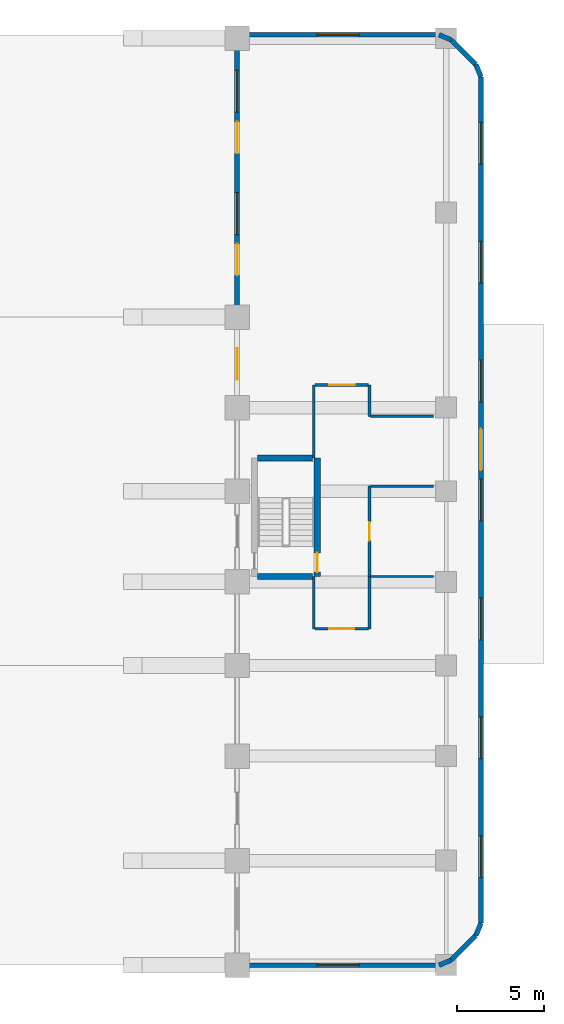
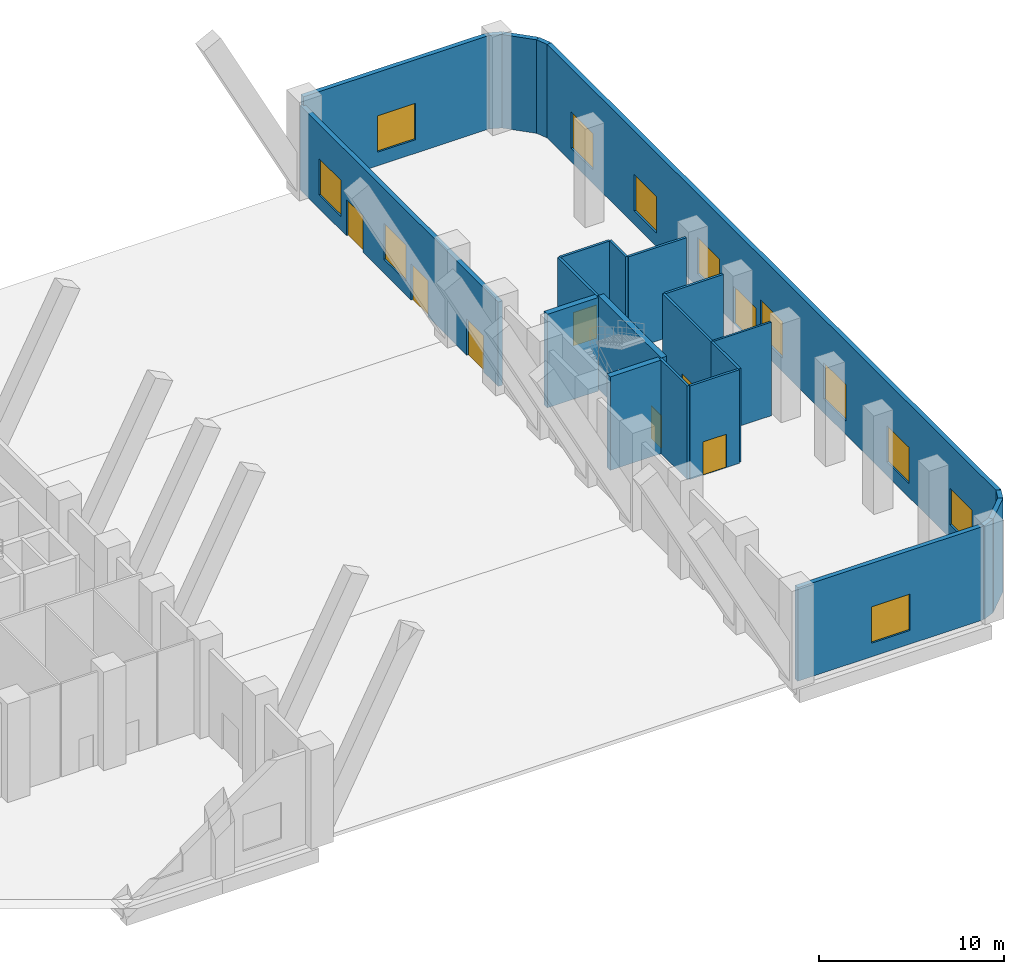
# One storey, part 6 of 10: 23 walls, 11 windows, 8 doors, 19 openings.
"""IFC4 building model written with IfcOpenShell, lengths in metres."""

from ifc_helpers import new_model, si_unit, direction, frame, frame_2d, origin, place, context, subcontext, project, spatial, rectangle, extrude, material, layer, layer_set, type_object, element, fill, save


model = new_model("IFC4")

# Units and contexts
model_context = context("Model", 3, precision=1e-05, world=origin(), true_north=direction((0.0, 1.0)))
body_context = subcontext(model_context, "Body", "Model", "MODEL_VIEW")
ifc_project = project(units=[si_unit("LENGTHUNIT", "METRE"), si_unit("AREAUNIT", "SQUARE_METRE"), si_unit("VOLUMEUNIT", "CUBIC_METRE"), si_unit("PLANEANGLEUNIT", "RADIAN"), si_unit("MASSUNIT", "GRAM", prefix="KILO")], contexts=[model_context])

# Site, building, storey
site_placement = place(None, origin())
site = spatial("IfcSite", under=ifc_project, at=site_placement, CompositionType="ELEMENT")
building_placement = place(site_placement, origin())
building = spatial("IfcBuilding", under=site, at=building_placement, Name="Keshet Zoharim Tower", CompositionType="ELEMENT")
storey_placement = place(building_placement, origin())
storey = spatial("IfcBuildingStorey", under=building, at=storey_placement, Name="L00", CompositionType="ELEMENT", Elevation=0.0)

# Walls
ifc_material_1 = material(Name="Gypsum Plasterboard", Category="gypsum")
ifc_layer_1 = layer(ifc_material_1, 0.14990234375)
ifc_layer_set_1 = layer_set([ifc_layer_1], Name="Gypsum Plasterboard")
wall_type_1 = type_object("IfcWallType", Name="WL-CLIN-150", PredefinedType="STANDARD", material=ifc_layer_set_1)
wall_1_placement = place(storey_placement, frame((67.39990234375, 20.0, 0.0), z_axis=(0.0, 0.0, 1.0), x_axis=(0.0, 1.0, 0.0)))
element("IfcWall", 1, at=wall_1_placement, inside=storey, type_object=wall_type_1, Name="L00 Interior Wall 041", PredefinedType="STANDARD", context=body_context, shape_type="SweptSolid", body=[
    extrude(rectangle(XDim=3.0, YDim=0.14990234375, at=frame_2d((1.5, 0.0))), origin(), (0.0, 0.0, 1.0), 6.169921875),
])
wall_2_placement = place(storey_placement, frame((67.39990234375, 29.800048828125, 0.0), z_axis=(0.0, 0.0, 1.0), x_axis=(0.0, 1.0, 0.0)))
element("IfcWall", 2, at=wall_2_placement, inside=storey, type_object=wall_type_1, Name="L00 Interior Wall 042", PredefinedType="STANDARD", context=body_context, shape_type="SweptSolid", body=[
    extrude(rectangle(XDim=4.199951171875, YDim=0.14990234375, at=frame_2d((2.10009765625, 0.0))), origin(), (0.0, 0.0, 1.0), 6.169921875),
])
wall_3_placement = place(storey_placement, frame((70.60009765625, 20.0, 0.0), z_axis=(0.0, 0.0, 1.0), x_axis=(0.0, 1.0, 0.0)))
element("IfcWall", 3, at=wall_3_placement, inside=storey, type_object=wall_type_1, Name="L00 Interior Wall 044", PredefinedType="STANDARD", context=body_context, shape_type="SweptSolid", body=[
    extrude(rectangle(XDim=3.0, YDim=0.14990234375, at=frame_2d((1.5, 0.0))), origin(), (0.0, 0.0, 1.0), 6.169921875),
])

# Wall, opening, door
wall_4_placement = place(storey_placement, frame((70.60009765625, 23.0, 0.0), z_axis=(0.0, 0.0, 1.0), x_axis=(0.0, 1.0, 0.0)))
wall_4 = element("IfcWall", 4, at=wall_4_placement, inside=storey, type_object=wall_type_1, Name="L00 Interior Wall 045", PredefinedType="STANDARD", context=body_context, shape_type="SweptSolid", body=[
    extrude(rectangle(XDim=5.199951171875, YDim=0.14990234375, at=frame_2d((2.60009765625, 0.0))), origin(), (0.0, 0.0, 1.0), 6.169921875),
])
opening_1_placement = place(wall_4_placement, frame((2.074951171875, 0.0, 0.0)))
opening_1 = element("IfcOpeningElement", 5, at=opening_1_placement, cuts=wall_4, Name="Opening D-AC10", PredefinedType="OPENING", context=body_context, shape_type="SweptSolid", body=[
    extrude(rectangle(XDim=1.050048828125, YDim=2.14990234375, at=frame_2d((0.52490234375, 1.074951171875))), frame((0.0, 0.0849609375, 0.0), z_axis=(0.0, -1.0, 0.0), x_axis=(1.0, 0.0, 0.0)), (0.0, 0.0, 1.0), 0.169921875),
])
ifc_material_2 = material(Name="Hardwood Timber", Category="wood")
door_type_1 = type_object("IfcDoorType", Name="DR-ACC-105", OperationType="NOTDEFINED", PredefinedType="DOOR", material=ifc_material_2)
door_1_placement = place(opening_1_placement, origin())
door_1 = element("IfcDoor", 6, at=door_1_placement, inside=storey, type_object=door_type_1, Name="Clinic Ground Accessible WC Door", OperationType="SINGLE_SWING_RIGHT", OverallHeight=2.14990234375, OverallWidth=1.050048828125, PredefinedType="DOOR", context=body_context, shape_type="SweptSolid", body=[
    extrude(rectangle(XDim=1.050048828125, YDim=2.14990234375, at=frame_2d((0.52490234375, 1.074951171875))), frame((0.0, 0.02490234375, 0.0), z_axis=(0.0, -1.0, 0.0), x_axis=(1.0, 0.0, 0.0)), (0.0, 0.0, 1.0), 0.050048828125),
])
fill(opening_1, door_1)

# Wall
wall_5_placement = place(storey_placement, frame((70.60009765625, 32.199951171875, 0.0), z_axis=(0.0, 0.0, 1.0), x_axis=(0.0, 1.0, 0.0)))
element("IfcWall", 7, at=wall_5_placement, inside=storey, type_object=wall_type_1, Name="L00 Interior Wall 046", PredefinedType="STANDARD", context=body_context, shape_type="SweptSolid", body=[
    extrude(rectangle(XDim=1.800048828125, YDim=0.14990234375, at=frame_2d((0.89990234375, 0.0))), origin(), (0.0, 0.0, 1.0), 6.169921875),
])

# Wall, opening, door
wall_6_placement = place(storey_placement, frame((67.4599609375, 20.0, 0.0), z_axis=(0.0, 0.0, 1.0), x_axis=(1.0, 0.0, 0.0)))
wall_6 = element("IfcWall", 8, at=wall_6_placement, inside=storey, type_object=wall_type_1, Name="L00 Interior Wall 053", PredefinedType="STANDARD", context=body_context, shape_type="SweptSolid", body=[
    extrude(rectangle(XDim=3.080078125, YDim=0.14990234375, at=frame_2d((1.5400390625, 0.0))), origin(), (0.0, 0.0, 1.0), 6.169921875),
])
opening_2_placement = place(wall_6_placement, frame((0.81494140625, 0.0, 0.0)))
opening_2 = element("IfcOpeningElement", 9, at=opening_2_placement, cuts=wall_6, Name="Opening D-F314", PredefinedType="OPENING", context=body_context, shape_type="SweptSolid", body=[
    extrude(rectangle(XDim=1.449951171875, YDim=2.199951171875, at=frame_2d((0.72509765625, 1.10009765625))), frame((0.0, 0.0849609375, 0.0), z_axis=(0.0, -1.0, 0.0), x_axis=(1.0, 0.0, 0.0)), (0.0, 0.0, 1.0), 0.169921875),
])
door_type_2 = type_object("IfcDoorType", Name="DR-FD30-145", OperationType="DOUBLE_DOOR_SINGLE_SWING", PredefinedType="DOOR", material=ifc_material_2)
door_2_placement = place(opening_2_placement, origin())
door_2 = element("IfcDoor", 10, at=door_2_placement, inside=storey, type_object=door_type_2, Name="Health Centre Reception Door", OperationType="DOUBLE_DOOR_SINGLE_SWING", OverallHeight=2.199951171875, OverallWidth=1.449951171875, PredefinedType="DOOR", context=body_context, shape_type="SweptSolid", body=[
    extrude(rectangle(XDim=1.449951171875, YDim=2.199951171875, at=frame_2d((0.72509765625, 1.10009765625))), frame((0.0, 0.02490234375, 0.0), z_axis=(0.0, -1.0, 0.0), x_axis=(1.0, 0.0, 0.0)), (0.0, 0.0, 1.0), 0.050048828125),
])
fill(opening_2, door_2)

# Walls
for number, where, z_axis, x_axis, name in (
    (11, (70.659912109375, 28.199951171875, 0.0), (0.0, 0.0, 1.0), (1.0, 0.0, 0.0), "L00 Interior Wall 062"),
    (12, (70.659912109375, 32.199951171875, 0.0), (0.0, 0.0, 1.0), (1.0, 0.0, 0.0), "L00 Interior Wall 072"),
):
    element("IfcWall", number, at=place(storey_placement, frame(where, z_axis=z_axis, x_axis=x_axis)), inside=storey, type_object=wall_type_1, Name=name, PredefinedType="STANDARD", context=body_context, shape_type="SweptSolid", body=[
        extrude(rectangle(XDim=3.6201171875, YDim=0.14990234375, at=frame_2d((1.81005859375, 0.0))), origin(), (0.0, 0.0, 1.0), 6.169921875),
    ])

# Wall, opening, door
wall_7_placement = place(storey_placement, frame((67.4599609375, 34.0, 0.0), z_axis=(0.0, 0.0, 1.0), x_axis=(1.0, 0.0, 0.0)))
wall_7 = element("IfcWall", 13, at=wall_7_placement, inside=storey, type_object=wall_type_1, Name="L00 Interior Wall 073", PredefinedType="STANDARD", context=body_context, shape_type="SweptSolid", body=[
    extrude(rectangle(XDim=3.080078125, YDim=0.14990234375, at=frame_2d((1.5400390625, 0.0))), origin(), (0.0, 0.0, 1.0), 6.169921875),
])
opening_3_placement = place(wall_7_placement, frame((0.840087890625, 0.0, 0.0)))
opening_3 = element("IfcOpeningElement", 14, at=opening_3_placement, cuts=wall_7, Name="Opening D-F314", PredefinedType="OPENING", context=body_context, shape_type="SweptSolid", body=[
    extrude(rectangle(XDim=1.449951171875, YDim=2.199951171875, at=frame_2d((0.72509765625, 1.10009765625))), frame((0.0, 0.0849609375, 0.0), z_axis=(0.0, -1.0, 0.0), x_axis=(1.0, 0.0, 0.0)), (0.0, 0.0, 1.0), 0.169921875),
])
door_3_placement = place(opening_3_placement, origin())
door_3 = element("IfcDoor", 15, at=door_3_placement, inside=storey, type_object=door_type_2, Name="Pharmacy Dispensary Door", OperationType="DOUBLE_DOOR_SINGLE_SWING", OverallHeight=2.199951171875, OverallWidth=1.449951171875, PredefinedType="DOOR", context=body_context, shape_type="SweptSolid", body=[
    extrude(rectangle(XDim=1.449951171875, YDim=2.199951171875, at=frame_2d((0.72509765625, 1.10009765625))), frame((0.0, 0.02490234375, 0.0), z_axis=(0.0, -1.0, 0.0), x_axis=(1.0, 0.0, 0.0)), (0.0, 0.0, 1.0), 0.050048828125),
])
fill(opening_3, door_3)

ifc_material_3 = material(Name="Concrete C60/75", Category="concrete")
ifc_layer_2 = layer(ifc_material_3, 0.35009765625)
ifc_layer_set_2 = layer_set([ifc_layer_2], Name="Concrete C60/75")
wall_type_2 = type_object("IfcWallType", Name="WL-CORE-350", PredefinedType="SHEAR", material=ifc_layer_set_2)
wall_8_placement = place(storey_placement, frame((67.60009765625, 23.0, 0.0), z_axis=(0.0, 0.0, 1.0), x_axis=(0.0, 1.0, 0.0)))
wall_8 = element("IfcWall", 16, at=wall_8_placement, inside=storey, type_object=wall_type_2, Name="L00 Core Shear Wall 043", PredefinedType="SHEAR", context=body_context, shape_type="SweptSolid", body=[
    extrude(rectangle(XDim=6.800048828125, YDim=0.35009765625, at=frame_2d((3.39990234375, 0.0))), origin(), (0.0, 0.0, 1.0), 6.169921875),
])
opening_4_placement = place(wall_8_placement, frame((0.264892578125, 0.0, 0.0)))
opening_4 = element("IfcOpeningElement", 17, at=opening_4_placement, cuts=wall_8, Name="Opening D-F611", PredefinedType="OPENING", context=body_context, shape_type="SweptSolid", body=[
    extrude(rectangle(XDim=1.10009765625, YDim=2.14990234375, at=frame_2d((0.550048828125, 1.074951171875))), frame((0.0, 0.18505859375, 0.0), z_axis=(0.0, -1.0, 0.0), x_axis=(1.0, 0.0, 0.0)), (0.0, 0.0, 1.0), 0.3701171875),
])
door_type_3 = type_object("IfcDoorType", Name="DR-FD60-110", OperationType="NOTDEFINED", PredefinedType="DOOR", material=ifc_material_2)
door_4_placement = place(opening_4_placement, frame((1.10009765625, 0.0, 0.0), z_axis=(0.0, 0.0, 1.0), x_axis=(-1.0, 0.0, 0.0)))
door_4 = element("IfcDoor", 18, at=door_4_placement, inside=storey, type_object=door_type_3, Name="Ground East Exit Stair ST-04 Discharge Door", OperationType="SINGLE_SWING_LEFT", OverallHeight=2.14990234375, OverallWidth=1.10009765625, PredefinedType="DOOR", context=body_context, shape_type="SweptSolid", body=[
    extrude(rectangle(XDim=1.10009765625, YDim=2.14990234375, at=frame_2d((0.550048828125, 1.074951171875))), frame((0.0, 0.02490234375, 0.0), z_axis=(0.0, -1.0, 0.0), x_axis=(1.0, 0.0, 0.0)), (0.0, 0.0, 1.0), 0.050048828125),
])
fill(opening_4, door_4)

# Walls
for number, where, z_axis, x_axis, name in (
    (19, (64.159912109375, 23.0, 0.0), (0.0, 0.0, 1.0), (1.0, 0.0, 0.0), "L00 Core Shear Wall 058"),
    (20, (64.159912109375, 29.800048828125, 0.0), (0.0, 0.0, 1.0), (1.0, 0.0, 0.0), "L00 Core Shear Wall 066"),
):
    element("IfcWall", number, at=place(storey_placement, frame(where, z_axis=z_axis, x_axis=x_axis)), inside=storey, type_object=wall_type_2, Name=name, PredefinedType="SHEAR", context=body_context, shape_type="SweptSolid", body=[
        extrude(rectangle(XDim=3.18017578125, YDim=0.35009765625, at=frame_2d((1.590087890625, 0.0))), origin(), (0.0, 0.0, 1.0), 6.169921875),
    ])
ifc_material_4 = material(Name="Concrete C50/60 precast", Category="concrete")
ifc_layer_3 = layer(ifc_material_4, 0.280029296875)
ifc_layer_set_3 = layer_set([ifc_layer_3], Name="Concrete C50/60 precast")
wall_type_3 = type_object("IfcWallType", Name="WL-EXT-280", PredefinedType="STANDARD", material=ifc_layer_set_3)
wall_9_placement = place(storey_placement, frame((74.5859375, 54.10009765625, 0.0), z_axis=(0.0, 0.0, 1.0), x_axis=(0.923717339373, -0.383074766777, 0.0)))
element("IfcWall", 21, at=wall_9_placement, inside=storey, type_object=wall_type_3, Name="L00 Podium Precast Facade Wall 11", PredefinedType="STANDARD", context=body_context, shape_type="SweptSolid", body=[
    extrude(rectangle(XDim=0.765380859375, YDim=0.280029296875, at=frame_2d((0.3828125, 0.0))), origin(), (0.0, 0.0, 1.0), 6.169921875),
])
wall_10_placement = place(storey_placement, frame((75.29296875, 53.806884765625, 0.0), z_axis=(0.0, 0.0, 1.0), x_axis=(0.707167825498, -0.707045731605, 0.0)))
element("IfcWall", 22, at=wall_10_placement, inside=storey, type_object=wall_type_3, Name="L00 Podium Precast Facade Wall 12", PredefinedType="STANDARD", context=body_context, shape_type="SweptSolid", body=[
    extrude(rectangle(XDim=1.99951171875, YDim=0.280029296875, at=frame_2d((0.999755859375, 0.0))), origin(), (0.0, 0.0, 1.0), 6.169921875),
])
wall_11_placement = place(storey_placement, frame((76.70703125, 52.39306640625, 0.0), z_axis=(0.0, 0.0, 1.0), x_axis=(0.382802560388, -0.92383017907, 0.0)))
element("IfcWall", 23, at=wall_11_placement, inside=storey, type_object=wall_type_3, Name="L00 Podium Precast Facade Wall 13", PredefinedType="STANDARD", context=body_context, shape_type="SweptSolid", body=[
    extrude(rectangle(XDim=0.765380859375, YDim=0.280029296875, at=frame_2d((0.3828125, 0.0))), origin(), (0.0, 0.0, 1.0), 6.169921875),
])

# Wall, openings, door, windows
wall_12_placement = place(storey_placement, frame((77.0, 51.68603515625, 0.0), z_axis=(0.0, 0.0, 1.0), x_axis=(0.0, -1.0, 0.0)))
wall_12 = element("IfcWall", 24, at=wall_12_placement, inside=storey, type_object=wall_type_3, Name="L00 Podium Precast Facade Wall 14", PredefinedType="STANDARD", context=body_context, shape_type="SweptSolid", body=[
    extrude(rectangle(XDim=48.572021484375, YDim=0.280029296875, at=frame_2d((24.2861328125, 0.0))), origin(), (0.0, 0.0, 1.0), 6.169921875),
])
opening_5_placement = place(wall_12_placement, frame((20.18603515625, 0.0, 0.0)))
opening_5 = element("IfcOpeningElement", 25, at=opening_5_placement, cuts=wall_12, Name="Opening G-SV24", PredefinedType="OPENING", context=body_context, shape_type="SweptSolid", body=[
    extrude(rectangle(XDim=2.39990234375, YDim=2.449951171875, at=frame_2d((1.199951171875, 1.22509765625))), frame((0.0, 0.14990234375, 0.0), z_axis=(0.0, -1.0, 0.0), x_axis=(1.0, 0.0, 0.0)), (0.0, 0.0, 1.0), 0.300048828125),
])
opening_6_placement = place(wall_12_placement, frame((2.612060546875, 0.0, 0.89990234375)))
opening_6 = element("IfcOpeningElement", 26, at=opening_6_placement, cuts=wall_12, Name="Opening W-240", PredefinedType="OPENING", context=body_context, shape_type="SweptSolid", body=[
    extrude(rectangle(XDim=2.39990234375, YDim=2.39990234375, at=frame_2d((1.199951171875, 1.199951171875))), frame((0.0, 0.14990234375, 0.0), z_axis=(0.0, -1.0, 0.0), x_axis=(1.0, 0.0, 0.0)), (0.0, 0.0, 1.0), 0.300048828125),
])
opening_7_placement = place(wall_12_placement, frame((9.43701171875, 0.0, 0.89990234375)))
opening_7 = element("IfcOpeningElement", 27, at=opening_7_placement, cuts=wall_12, Name="Opening W-240", PredefinedType="OPENING", context=body_context, shape_type="SweptSolid", body=[
    extrude(rectangle(XDim=2.39990234375, YDim=2.39990234375, at=frame_2d((1.199951171875, 1.199951171875))), frame((0.0, 0.14990234375, 0.0), z_axis=(0.0, -1.0, 0.0), x_axis=(1.0, 0.0, 0.0)), (0.0, 0.0, 1.0), 0.300048828125),
])
opening_8_placement = place(wall_12_placement, frame((16.260986328125, 0.0, 0.89990234375)))
opening_8 = element("IfcOpeningElement", 28, at=opening_8_placement, cuts=wall_12, Name="Opening W-240", PredefinedType="OPENING", context=body_context, shape_type="SweptSolid", body=[
    extrude(rectangle(XDim=2.39990234375, YDim=2.39990234375, at=frame_2d((1.199951171875, 1.199951171875))), frame((0.0, 0.14990234375, 0.0), z_axis=(0.0, -1.0, 0.0), x_axis=(1.0, 0.0, 0.0)), (0.0, 0.0, 1.0), 0.300048828125),
])
opening_9_placement = place(wall_12_placement, frame((23.0859375, 0.0, 0.89990234375)))
opening_9 = element("IfcOpeningElement", 29, at=opening_9_placement, cuts=wall_12, Name="Opening W-240", PredefinedType="OPENING", context=body_context, shape_type="SweptSolid", body=[
    extrude(rectangle(XDim=2.39990234375, YDim=2.39990234375, at=frame_2d((1.199951171875, 1.199951171875))), frame((0.0, 0.14990234375, 0.0), z_axis=(0.0, -1.0, 0.0), x_axis=(1.0, 0.0, 0.0)), (0.0, 0.0, 1.0), 0.300048828125),
])
opening_10_placement = place(wall_12_placement, frame((29.910888671875, 0.0, 0.89990234375)))
opening_10 = element("IfcOpeningElement", 30, at=opening_10_placement, cuts=wall_12, Name="Opening W-240", PredefinedType="OPENING", context=body_context, shape_type="SweptSolid", body=[
    extrude(rectangle(XDim=2.39990234375, YDim=2.39990234375, at=frame_2d((1.199951171875, 1.199951171875))), frame((0.0, 0.14990234375, 0.0), z_axis=(0.0, -1.0, 0.0), x_axis=(1.0, 0.0, 0.0)), (0.0, 0.0, 1.0), 0.300048828125),
])
opening_11_placement = place(wall_12_placement, frame((36.735107421875, 0.0, 0.89990234375)))
opening_11 = element("IfcOpeningElement", 31, at=opening_11_placement, cuts=wall_12, Name="Opening W-240", PredefinedType="OPENING", context=body_context, shape_type="SweptSolid", body=[
    extrude(rectangle(XDim=2.39990234375, YDim=2.39990234375, at=frame_2d((1.199951171875, 1.199951171875))), frame((0.0, 0.14990234375, 0.0), z_axis=(0.0, -1.0, 0.0), x_axis=(1.0, 0.0, 0.0)), (0.0, 0.0, 1.0), 0.300048828125),
])
opening_12_placement = place(wall_12_placement, frame((43.56005859375, 0.0, 0.89990234375)))
opening_12 = element("IfcOpeningElement", 32, at=opening_12_placement, cuts=wall_12, Name="Opening W-240", PredefinedType="OPENING", context=body_context, shape_type="SweptSolid", body=[
    extrude(rectangle(XDim=2.39990234375, YDim=2.39990234375, at=frame_2d((1.199951171875, 1.199951171875))), frame((0.0, 0.14990234375, 0.0), z_axis=(0.0, -1.0, 0.0), x_axis=(1.0, 0.0, 0.0)), (0.0, 0.0, 1.0), 0.300048828125),
])
ifc_material_5 = material(Name="Steel S355", Category="steel")
door_type_4 = type_object("IfcDoorType", Name="DR-GAT-240", OperationType="ROLLINGUP", PredefinedType="GATE", material=ifc_material_5)
door_5_placement = place(opening_5_placement, origin())
door_5 = element("IfcDoor", 33, at=door_5_placement, inside=storey, type_object=door_type_4, Name="Forecourt Access Portal Gate 02", OperationType="ROLLINGUP", OverallHeight=2.449951171875, OverallWidth=2.39990234375, PredefinedType="GATE", context=body_context, shape_type="SweptSolid", body=[
    extrude(rectangle(XDim=2.39990234375, YDim=2.449951171875, at=frame_2d((1.199951171875, 1.22509765625))), frame((0.0, 0.02490234375, 0.0), z_axis=(0.0, -1.0, 0.0), x_axis=(1.0, 0.0, 0.0)), (0.0, 0.0, 1.0), 0.050048828125),
])
fill(opening_5, door_5)
ifc_material_6 = material(Name="Insulated Low-E Clear Glass", Category="glass")
window_type = type_object("IfcWindowType", Name="WN-POD-240", PartitioningType="DOUBLE_PANEL_VERTICAL", PredefinedType="WINDOW", material=ifc_material_6)
window_1_placement = place(opening_6_placement, origin())
window_1 = element("IfcWindow", 34, at=window_1_placement, inside=storey, type_object=window_type, Name="Podium Storefront Window 17", OverallHeight=2.39990234375, OverallWidth=2.39990234375, PartitioningType="DOUBLE_PANEL_VERTICAL", PredefinedType="WINDOW", context=body_context, shape_type="SweptSolid", body=[
    extrude(rectangle(XDim=2.39990234375, YDim=2.39990234375, at=frame_2d((1.199951171875, 1.199951171875))), frame((0.0, 0.030029296875, 0.0), z_axis=(0.0, -1.0, 0.0), x_axis=(1.0, 0.0, 0.0)), (0.0, 0.0, 1.0), 0.06005859375),
])
fill(opening_6, window_1)
window_2_placement = place(opening_7_placement, origin())
window_2 = element("IfcWindow", 35, at=window_2_placement, inside=storey, type_object=window_type, Name="Podium Storefront Window 18", OverallHeight=2.39990234375, OverallWidth=2.39990234375, PartitioningType="DOUBLE_PANEL_VERTICAL", PredefinedType="WINDOW", context=body_context, shape_type="SweptSolid", body=[
    extrude(rectangle(XDim=2.39990234375, YDim=2.39990234375, at=frame_2d((1.199951171875, 1.199951171875))), frame((0.0, 0.030029296875, 0.0), z_axis=(0.0, -1.0, 0.0), x_axis=(1.0, 0.0, 0.0)), (0.0, 0.0, 1.0), 0.06005859375),
])
fill(opening_7, window_2)
window_3_placement = place(opening_8_placement, origin())
window_3 = element("IfcWindow", 36, at=window_3_placement, inside=storey, type_object=window_type, Name="Podium Storefront Window 19", OverallHeight=2.39990234375, OverallWidth=2.39990234375, PartitioningType="DOUBLE_PANEL_VERTICAL", PredefinedType="WINDOW", context=body_context, shape_type="SweptSolid", body=[
    extrude(rectangle(XDim=2.39990234375, YDim=2.39990234375, at=frame_2d((1.199951171875, 1.199951171875))), frame((0.0, 0.030029296875, 0.0), z_axis=(0.0, -1.0, 0.0), x_axis=(1.0, 0.0, 0.0)), (0.0, 0.0, 1.0), 0.06005859375),
])
fill(opening_8, window_3)
window_4_placement = place(opening_9_placement, origin())
window_4 = element("IfcWindow", 37, at=window_4_placement, inside=storey, type_object=window_type, Name="Podium Storefront Window 20", OverallHeight=2.39990234375, OverallWidth=2.39990234375, PartitioningType="DOUBLE_PANEL_VERTICAL", PredefinedType="WINDOW", context=body_context, shape_type="SweptSolid", body=[
    extrude(rectangle(XDim=2.39990234375, YDim=2.39990234375, at=frame_2d((1.199951171875, 1.199951171875))), frame((0.0, 0.030029296875, 0.0), z_axis=(0.0, -1.0, 0.0), x_axis=(1.0, 0.0, 0.0)), (0.0, 0.0, 1.0), 0.06005859375),
])
fill(opening_9, window_4)
window_5_placement = place(opening_10_placement, origin())
window_5 = element("IfcWindow", 38, at=window_5_placement, inside=storey, type_object=window_type, Name="Podium Storefront Window 21", OverallHeight=2.39990234375, OverallWidth=2.39990234375, PartitioningType="DOUBLE_PANEL_VERTICAL", PredefinedType="WINDOW", context=body_context, shape_type="SweptSolid", body=[
    extrude(rectangle(XDim=2.39990234375, YDim=2.39990234375, at=frame_2d((1.199951171875, 1.199951171875))), frame((0.0, 0.030029296875, 0.0), z_axis=(0.0, -1.0, 0.0), x_axis=(1.0, 0.0, 0.0)), (0.0, 0.0, 1.0), 0.06005859375),
])
fill(opening_10, window_5)
window_6_placement = place(opening_11_placement, origin())
window_6 = element("IfcWindow", 39, at=window_6_placement, inside=storey, type_object=window_type, Name="Podium Storefront Window 22", OverallHeight=2.39990234375, OverallWidth=2.39990234375, PartitioningType="DOUBLE_PANEL_VERTICAL", PredefinedType="WINDOW", context=body_context, shape_type="SweptSolid", body=[
    extrude(rectangle(XDim=2.39990234375, YDim=2.39990234375, at=frame_2d((1.199951171875, 1.199951171875))), frame((0.0, 0.030029296875, 0.0), z_axis=(0.0, -1.0, 0.0), x_axis=(1.0, 0.0, 0.0)), (0.0, 0.0, 1.0), 0.06005859375),
])
fill(opening_11, window_6)
window_7_placement = place(opening_12_placement, origin())
window_7 = element("IfcWindow", 40, at=window_7_placement, inside=storey, type_object=window_type, Name="Podium Storefront Window 23", OverallHeight=2.39990234375, OverallWidth=2.39990234375, PartitioningType="DOUBLE_PANEL_VERTICAL", PredefinedType="WINDOW", context=body_context, shape_type="SweptSolid", body=[
    extrude(rectangle(XDim=2.39990234375, YDim=2.39990234375, at=frame_2d((1.199951171875, 1.199951171875))), frame((0.0, 0.030029296875, 0.0), z_axis=(0.0, -1.0, 0.0), x_axis=(1.0, 0.0, 0.0)), (0.0, 0.0, 1.0), 0.06005859375),
])
fill(opening_12, window_7)

# Walls
wall_13_placement = place(storey_placement, frame((77.0, 3.114013671875, 0.0), z_axis=(0.0, 0.0, 1.0), x_axis=(-0.382802560388, -0.92383017907, 0.0)))
element("IfcWall", 41, at=wall_13_placement, inside=storey, type_object=wall_type_3, Name="L00 Podium Precast Facade Wall 15", PredefinedType="STANDARD", context=body_context, shape_type="SweptSolid", body=[
    extrude(rectangle(XDim=0.765380859375, YDim=0.280029296875, at=frame_2d((0.3828125, 0.0))), origin(), (0.0, 0.0, 1.0), 6.169921875),
])
wall_14_placement = place(storey_placement, frame((76.70703125, 2.406982421875, 0.0), z_axis=(0.0, 0.0, 1.0), x_axis=(-0.707106781187, -0.707106781187, 0.0)))
element("IfcWall", 42, at=wall_14_placement, inside=storey, type_object=wall_type_3, Name="L00 Podium Precast Facade Wall 16", PredefinedType="STANDARD", context=body_context, shape_type="SweptSolid", body=[
    extrude(rectangle(XDim=1.999755859375, YDim=0.280029296875, at=frame_2d((1.0, 0.0))), origin(), (0.0, 0.0, 1.0), 6.169921875),
])
wall_15_placement = place(storey_placement, frame((75.29296875, 0.992919921875, 0.0), z_axis=(0.0, 0.0, 1.0), x_axis=(-0.92383017907, -0.382802560388, 0.0)))
element("IfcWall", 43, at=wall_15_placement, inside=storey, type_object=wall_type_3, Name="L00 Podium Precast Facade Wall 17", PredefinedType="STANDARD", context=body_context, shape_type="SweptSolid", body=[
    extrude(rectangle(XDim=0.765380859375, YDim=0.280029296875, at=frame_2d((0.3828125, 0.0))), origin(), (0.0, 0.0, 1.0), 6.169921875),
])

# Wall, opening, window
wall_16_placement = place(storey_placement, frame((74.5859375, 0.699951171875, 0.0), z_axis=(0.0, 0.0, 1.0), x_axis=(-1.0, 0.0, 0.0)))
wall_16 = element("IfcWall", 44, at=wall_16_placement, inside=storey, type_object=wall_type_3, Name="L00 Podium Precast Facade Wall 18", PredefinedType="STANDARD", context=body_context, shape_type="SweptSolid", body=[
    extrude(rectangle(XDim=11.5859375, YDim=0.280029296875, at=frame_2d((5.79296875, 0.0))), origin(), (0.0, 0.0, 1.0), 6.169921875),
])
opening_13_placement = place(wall_16_placement, frame((4.593017578125, 0.0, 0.89990234375)))
opening_13 = element("IfcOpeningElement", 45, at=opening_13_placement, cuts=wall_16, Name="Opening W-240", PredefinedType="OPENING", context=body_context, shape_type="SweptSolid", body=[
    extrude(rectangle(XDim=2.39990234375, YDim=2.39990234375, at=frame_2d((1.199951171875, 1.199951171875))), frame((0.0, 0.14990234375, 0.0), z_axis=(0.0, -1.0, 0.0), x_axis=(1.0, 0.0, 0.0)), (0.0, 0.0, 1.0), 0.300048828125),
])
window_8_placement = place(opening_13_placement, origin())
window_8 = element("IfcWindow", 46, at=window_8_placement, inside=storey, type_object=window_type, Name="Podium Storefront Window 24", OverallHeight=2.39990234375, OverallWidth=2.39990234375, PartitioningType="DOUBLE_PANEL_VERTICAL", PredefinedType="WINDOW", context=body_context, shape_type="SweptSolid", body=[
    extrude(rectangle(XDim=2.39990234375, YDim=2.39990234375, at=frame_2d((1.199951171875, 1.199951171875))), frame((0.0, 0.030029296875, 0.0), z_axis=(0.0, -1.0, 0.0), x_axis=(1.0, 0.0, 0.0)), (0.0, 0.0, 1.0), 0.06005859375),
])
fill(opening_13, window_8)

wall_17_placement = place(storey_placement, frame((63.0, 54.10009765625, 0.0), z_axis=(0.0, 0.0, 1.0), x_axis=(1.0, 0.0, 0.0)))
wall_17 = element("IfcWall", 47, at=wall_17_placement, inside=storey, type_object=wall_type_3, Name="L00 Podium Precast Facade Wall 20", PredefinedType="STANDARD", context=body_context, shape_type="SweptSolid", body=[
    extrude(rectangle(XDim=11.5859375, YDim=0.280029296875, at=frame_2d((5.79296875, 0.0))), origin(), (0.0, 0.0, 1.0), 6.169921875),
])
opening_14_placement = place(wall_17_placement, frame((4.593017578125, 0.0, 0.89990234375)))
opening_14 = element("IfcOpeningElement", 48, at=opening_14_placement, cuts=wall_17, Name="Opening W-240", PredefinedType="OPENING", context=body_context, shape_type="SweptSolid", body=[
    extrude(rectangle(XDim=2.39990234375, YDim=2.39990234375, at=frame_2d((1.199951171875, 1.199951171875))), frame((0.0, 0.14990234375, 0.0), z_axis=(0.0, -1.0, 0.0), x_axis=(1.0, 0.0, 0.0)), (0.0, 0.0, 1.0), 0.300048828125),
])
window_9_placement = place(opening_14_placement, origin())
window_9 = element("IfcWindow", 49, at=window_9_placement, inside=storey, type_object=window_type, Name="Podium Storefront Window 28", OverallHeight=2.39990234375, OverallWidth=2.39990234375, PartitioningType="DOUBLE_PANEL_VERTICAL", PredefinedType="WINDOW", context=body_context, shape_type="SweptSolid", body=[
    extrude(rectangle(XDim=2.39990234375, YDim=2.39990234375, at=frame_2d((1.199951171875, 1.199951171875))), frame((0.0, 0.030029296875, 0.0), z_axis=(0.0, -1.0, 0.0), x_axis=(1.0, 0.0, 0.0)), (0.0, 0.0, 1.0), 0.06005859375),
])
fill(opening_14, window_9)

# Wall, openings, doors, windows
wall_18_placement = place(storey_placement, frame((63.0, 32.699951171875, 0.0), z_axis=(0.0, 0.0, 1.0), x_axis=(0.0, 1.0, 0.0)))
wall_18 = element("IfcWall", 50, at=wall_18_placement, inside=storey, type_object=wall_type_3, Name="L00 Podium Precast Facade Wall 19 Part 2", PredefinedType="STANDARD", context=body_context, shape_type="SweptSolid", body=[
    extrude(rectangle(XDim=21.400146484375, YDim=0.280029296875, at=frame_2d((10.7001953125, 0.0))), origin(), (0.0, 0.0, 1.0), 5.570068359375),
])
opening_15_placement = place(wall_18_placement, frame((1.60009765625, 0.0, 0.0)))
opening_15 = element("IfcOpeningElement", 51, at=opening_15_placement, cuts=wall_18, Name="Opening D-EX18", PredefinedType="OPENING", context=body_context, shape_type="SweptSolid", body=[
    extrude(rectangle(XDim=1.800048828125, YDim=2.39990234375, at=frame_2d((0.89990234375, 1.199951171875))), frame((0.0, 0.14990234375, 0.0), z_axis=(0.0, -1.0, 0.0), x_axis=(1.0, 0.0, 0.0)), (0.0, 0.0, 1.0), 0.300048828125),
])
opening_16_placement = place(wall_18_placement, frame((7.60009765625, 0.0, 0.0)))
opening_16 = element("IfcOpeningElement", 52, at=opening_16_placement, cuts=wall_18, Name="Opening D-EX18", PredefinedType="OPENING", context=body_context, shape_type="SweptSolid", body=[
    extrude(rectangle(XDim=1.800048828125, YDim=2.39990234375, at=frame_2d((0.89990234375, 1.199951171875))), frame((0.0, 0.14990234375, 0.0), z_axis=(0.0, -1.0, 0.0), x_axis=(1.0, 0.0, 0.0)), (0.0, 0.0, 1.0), 0.300048828125),
])
opening_17_placement = place(wall_18_placement, frame((14.60009765625, 0.0, 0.0)))
opening_17 = element("IfcOpeningElement", 53, at=opening_17_placement, cuts=wall_18, Name="Opening D-EX18", PredefinedType="OPENING", context=body_context, shape_type="SweptSolid", body=[
    extrude(rectangle(XDim=1.800048828125, YDim=2.39990234375, at=frame_2d((0.89990234375, 1.199951171875))), frame((0.0, 0.14990234375, 0.0), z_axis=(0.0, -1.0, 0.0), x_axis=(1.0, 0.0, 0.0)), (0.0, 0.0, 1.0), 0.300048828125),
])
opening_18_placement = place(wall_18_placement, frame((9.93798828125, 0.0, 0.89990234375)))
opening_18 = element("IfcOpeningElement", 54, at=opening_18_placement, cuts=wall_18, Name="Opening W-240", PredefinedType="OPENING", context=body_context, shape_type="SweptSolid", body=[
    extrude(rectangle(XDim=2.39990234375, YDim=2.39990234375, at=frame_2d((1.199951171875, 1.199951171875))), frame((0.0, 0.14990234375, 0.0), z_axis=(0.0, -1.0, 0.0), x_axis=(1.0, 0.0, 0.0)), (0.0, 0.0, 1.0), 0.300048828125),
])
opening_19_placement = place(wall_18_placement, frame((16.9619140625, 0.0, 0.89990234375)))
opening_19 = element("IfcOpeningElement", 55, at=opening_19_placement, cuts=wall_18, Name="Opening W-240", PredefinedType="OPENING", context=body_context, shape_type="SweptSolid", body=[
    extrude(rectangle(XDim=2.39990234375, YDim=2.39990234375, at=frame_2d((1.199951171875, 1.199951171875))), frame((0.0, 0.14990234375, 0.0), z_axis=(0.0, -1.0, 0.0), x_axis=(1.0, 0.0, 0.0)), (0.0, 0.0, 1.0), 0.300048828125),
])
ifc_material_7 = material(Name="Aluminium 6063-T6", Category="aluminium")
door_type_5 = type_object("IfcDoorType", Name="DR-EXT-180", OperationType="DOUBLE_DOOR_SINGLE_SWING", PredefinedType="DOOR", material=ifc_material_7)
door_6_placement = place(opening_15_placement, origin())
door_6 = element("IfcDoor", 56, at=door_6_placement, inside=storey, type_object=door_type_5, Name="East Concourse Entrance Door 07", OperationType="DOUBLE_DOOR_SINGLE_SWING", OverallHeight=2.39990234375, OverallWidth=1.800048828125, PredefinedType="DOOR", context=body_context, shape_type="SweptSolid", body=[
    extrude(rectangle(XDim=1.800048828125, YDim=2.39990234375, at=frame_2d((0.89990234375, 1.199951171875))), frame((0.0, 0.02490234375, 0.0), z_axis=(0.0, -1.0, 0.0), x_axis=(1.0, 0.0, 0.0)), (0.0, 0.0, 1.0), 0.050048828125),
])
fill(opening_15, door_6)
door_7_placement = place(opening_16_placement, origin())
door_7 = element("IfcDoor", 57, at=door_7_placement, inside=storey, type_object=door_type_5, Name="East Concourse Entrance Door 08", OperationType="DOUBLE_DOOR_SINGLE_SWING", OverallHeight=2.39990234375, OverallWidth=1.800048828125, PredefinedType="DOOR", context=body_context, shape_type="SweptSolid", body=[
    extrude(rectangle(XDim=1.800048828125, YDim=2.39990234375, at=frame_2d((0.89990234375, 1.199951171875))), frame((0.0, 0.02490234375, 0.0), z_axis=(0.0, -1.0, 0.0), x_axis=(1.0, 0.0, 0.0)), (0.0, 0.0, 1.0), 0.050048828125),
])
fill(opening_16, door_7)
door_8_placement = place(opening_17_placement, origin())
door_8 = element("IfcDoor", 58, at=door_8_placement, inside=storey, type_object=door_type_5, Name="East Concourse Entrance Door 09", OperationType="DOUBLE_DOOR_SINGLE_SWING", OverallHeight=2.39990234375, OverallWidth=1.800048828125, PredefinedType="DOOR", context=body_context, shape_type="SweptSolid", body=[
    extrude(rectangle(XDim=1.800048828125, YDim=2.39990234375, at=frame_2d((0.89990234375, 1.199951171875))), frame((0.0, 0.02490234375, 0.0), z_axis=(0.0, -1.0, 0.0), x_axis=(1.0, 0.0, 0.0)), (0.0, 0.0, 1.0), 0.050048828125),
])
fill(opening_17, door_8)
window_10_placement = place(opening_18_placement, origin())
window_10 = element("IfcWindow", 59, at=window_10_placement, inside=storey, type_object=window_type, Name="Podium Storefront Window 26", OverallHeight=2.39990234375, OverallWidth=2.39990234375, PartitioningType="DOUBLE_PANEL_VERTICAL", PredefinedType="WINDOW", context=body_context, shape_type="SweptSolid", body=[
    extrude(rectangle(XDim=2.39990234375, YDim=2.39990234375, at=frame_2d((1.199951171875, 1.199951171875))), frame((0.0, 0.030029296875, 0.0), z_axis=(0.0, -1.0, 0.0), x_axis=(1.0, 0.0, 0.0)), (0.0, 0.0, 1.0), 0.06005859375),
])
fill(opening_18, window_10)
window_11_placement = place(opening_19_placement, origin())
window_11 = element("IfcWindow", 60, at=window_11_placement, inside=storey, type_object=window_type, Name="Podium Storefront Window 27", OverallHeight=2.39990234375, OverallWidth=2.39990234375, PartitioningType="DOUBLE_PANEL_VERTICAL", PredefinedType="WINDOW", context=body_context, shape_type="SweptSolid", body=[
    extrude(rectangle(XDim=2.39990234375, YDim=2.39990234375, at=frame_2d((1.199951171875, 1.199951171875))), frame((0.0, 0.030029296875, 0.0), z_axis=(0.0, -1.0, 0.0), x_axis=(1.0, 0.0, 0.0)), (0.0, 0.0, 1.0), 0.06005859375),
])
fill(opening_19, window_11)

# Wall
ifc_layer_4 = layer(ifc_material_1, 0.1201171875)
ifc_layer_set_4 = layer_set([ifc_layer_4], Name="Gypsum Plasterboard")
wall_type_4 = type_object("IfcWallType", Name="WL-WET-120", PredefinedType="PARTITIONING", material=ifc_layer_set_4)
wall_19_placement = place(storey_placement, frame((70.659912109375, 23.0, 0.0), z_axis=(0.0, 0.0, 1.0), x_axis=(1.0, 0.0, 0.0)))
element("IfcWall", 61, at=wall_19_placement, inside=storey, type_object=wall_type_4, Name="L00 Interior Wall 059", PredefinedType="PARTITIONING", context=body_context, shape_type="SweptSolid", body=[
    extrude(rectangle(XDim=3.6201171875, YDim=0.1201171875, at=frame_2d((1.81005859375, 0.0))), origin(), (0.0, 0.0, 1.0), 6.169921875),
])

save(model, "model.ifc")
